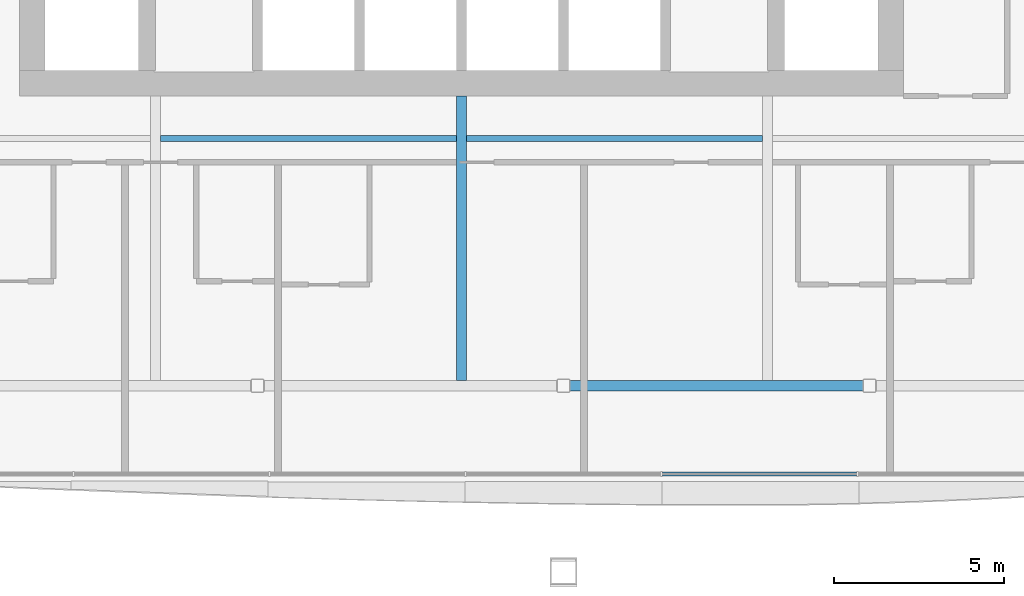
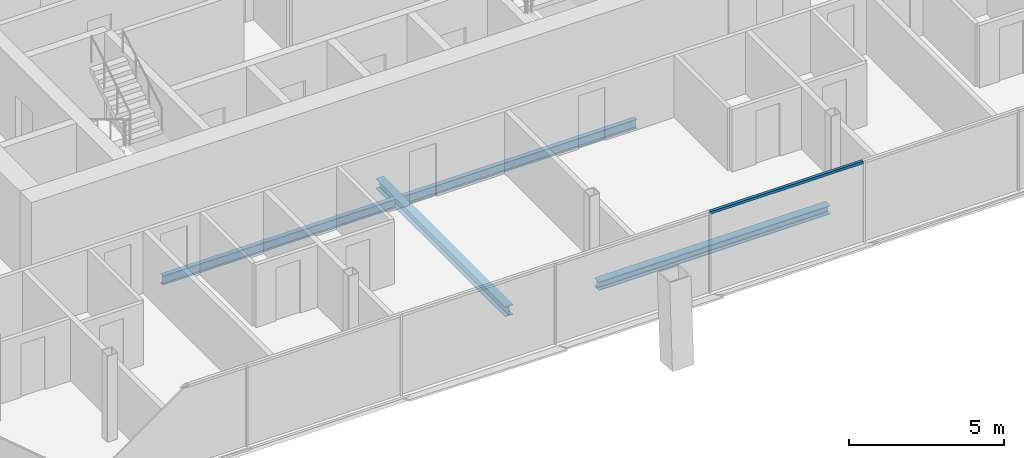
# One storey, part 5 of 22: 4 beams, 1 member, 1 element without a shape of its own.
"""IFC4 building model written with IfcOpenShell, lengths in metres."""

from ifc_helpers import new_model, si_unit, direction, frame, origin, origin_2d, place, context, subcontext, project, spatial, rectangle, i_section, extrude, material, material_profile, profile_set, type_object, element, aggregate, save


model = new_model("IFC4")

# Units and contexts
model_context = context("Model", 3, precision=1e-05, world=origin(), true_north=direction((0.0, 1.0)))
body_context = subcontext(model_context, "Body", "Model", "MODEL_VIEW")
ifc_project = project(units=[si_unit("LENGTHUNIT", "METRE"), si_unit("AREAUNIT", "SQUARE_METRE"), si_unit("VOLUMEUNIT", "CUBIC_METRE"), si_unit("PLANEANGLEUNIT", "RADIAN"), si_unit("MASSUNIT", "GRAM", prefix="KILO")], contexts=[model_context])

# Site, building, storey
site_placement = place(None, origin())
site = spatial("IfcSite", under=ifc_project, at=site_placement, CompositionType="ELEMENT")
building_placement = place(site_placement, origin())
building = spatial("IfcBuilding", under=site, at=building_placement, Name="Tskaro Facet Tower", CompositionType="ELEMENT")
storey_placement = place(building_placement, frame((0.0, 0.0, 124.89990234375)))
storey = spatial("IfcBuildingStorey", under=building, at=storey_placement, Name="L29", CompositionType="ELEMENT", Elevation=124.89990234375)

# Curtain wall, member
ifc_material_1 = material(Name="Bronze anodised aluminium 6063-T6", Category="aluminium")
curtain_wall_type = type_object("IfcCurtainWallType", Name="Bronze hotel curtain wall (FW2)", PredefinedType="NOTDEFINED", material=ifc_material_1)
curtain_wall_placement = place(storey_placement, origin())
curtain_wall = element("IfcCurtainWall", 1, at=curtain_wall_placement, inside=storey, type_object=curtain_wall_type, Name="FW2 south facet L29", PredefinedType="NOTDEFINED")
ifc_material_profile_1 = material_profile(ifc_material_1, rectangle(XDim=0.110107421875, YDim=0.10009765625, at=origin_2d()), Name="Transom 110x100")
ifc_profile_set_1 = profile_set([ifc_material_profile_1], Name="Bronze anodised aluminium 6063-T6")
member_type = type_object("IfcMemberType", Name="FW2 bronze transom 110x100", PredefinedType="USERDEFINED", material=ifc_profile_set_1)
member_placement = place(storey_placement, frame((5.910888671875, -23.366943359375, 3.150146484375), z_axis=(1.0, 0.0, 0.0), x_axis=(0.0, 1.0, 0.0)))
member = element("IfcMember", 2, at=member_placement, type_object=member_type, Name="FW2 south transom 5.1", ObjectType="TRANSOM", PredefinedType="USERDEFINED", context=body_context, shape_type="SweptSolid", body=[
    extrude(rectangle(XDim=0.110107421875, YDim=0.10009765625, at=origin_2d()), origin(), (0.0, 0.0, 1.0), 5.70166015625),
])
aggregate(curtain_wall, [member])

# Beams
ifc_material_2 = material(Name="Steel S355J2", Category="steel")
ifc_material_profile_2 = material_profile(ifc_material_2, i_section(OverallWidth=0.300048828125, OverallDepth=0.340087890625, WebThickness=0.011962890625, FlangeThickness=0.021484375, FilletRadius=0.027099609375, at=origin_2d()), Name="HE 340 B")
ifc_profile_set_2 = profile_set([ifc_material_profile_2], Name="Steel S355J2")
beam_type_1 = type_object("IfcBeamType", Name="HE 340 B ring beam", PredefinedType="BEAM", material=ifc_profile_set_2)
beam_1_placement = place(storey_placement, frame((3.179931640625, -20.77392578125, -0.309814453125), z_axis=(1.0, 0.0, 0.0), x_axis=(0.0, 1.0, 0.0)))
element("IfcBeam", 3, at=beam_1_placement, inside=storey, type_object=beam_type_1, Name="HE 340 B EB3-3", PredefinedType="BEAM", context=body_context, shape_type="SweptSolid", body=[
    extrude(i_section(OverallWidth=0.300048828125, OverallDepth=0.340087890625, WebThickness=0.011962890625, FlangeThickness=0.021484375, FilletRadius=0.027099609375, at=origin_2d()), origin(), (0.0, 0.0, 1.0), 8.64013671875),
])
ifc_material_profile_3 = material_profile(ifc_material_2, i_section(OverallWidth=0.300048828125, OverallDepth=0.389892578125, WebThickness=0.010986328125, FlangeThickness=0.01904296875, FilletRadius=0.027099609375, at=origin_2d()), Name="HE 400 A")
ifc_profile_set_3 = profile_set([ifc_material_profile_3], Name="Steel S355J2")
beam_type_2 = type_object("IfcBeamType", Name="HE 400 A girder", PredefinedType="BEAM", material=ifc_profile_set_3)
beam_2_placement = place(storey_placement, frame((0.0, -20.6240234375, -0.3349609375), z_axis=(0.0, 1.0, 0.0), x_axis=(-1.0, 0.0, 0.0)))
element("IfcBeam", 4, at=beam_2_placement, inside=storey, type_object=beam_type_2, Name="HE 400 A GB4-1-3", PredefinedType="BEAM", context=body_context, shape_type="SweptSolid", body=[
    extrude(i_section(OverallWidth=0.300048828125, OverallDepth=0.389892578125, WebThickness=0.010986328125, FlangeThickness=0.01904296875, FilletRadius=0.027099609375, at=origin_2d()), origin(), (0.0, 0.0, 1.0), 8.3740234375),
])
ifc_material_profile_4 = material_profile(ifc_material_2, i_section(OverallWidth=0.169921875, OverallDepth=0.360107421875, WebThickness=0.008056640625, FlangeThickness=0.0126953125, FilletRadius=0.01806640625, at=origin_2d()), Name="IPE 360")
ifc_profile_set_4 = profile_set([ifc_material_profile_4], Name="Steel S355J2")
beam_type_3 = type_object("IfcBeamType", Name="IPE 360 secondary beam", PredefinedType="BEAM", material=ifc_profile_set_4)
for number, where, z_axis, x_axis, name in (
    (5, (-8.85009765625, -13.5, -0.31982421875), (1.0, 0.0, 0.0), (0.0, 1.0, 0.0), "IPE 360 SB2a-2-3"),
    (6, (0.14990234375, -13.5, -0.31982421875), (1.0, 0.0, 0.0), (0.0, 1.0, 0.0), "IPE 360 SB2a-3-3"),
):
    element("IfcBeam", number, at=place(storey_placement, frame(where, z_axis=z_axis, x_axis=x_axis)), inside=storey, type_object=beam_type_3, Name=name, PredefinedType="BEAM", context=body_context, shape_type="SweptSolid", body=[
        extrude(i_section(OverallWidth=0.169921875, OverallDepth=0.360107421875, WebThickness=0.008056640625, FlangeThickness=0.0126953125, FilletRadius=0.01806640625, at=origin_2d()), origin(), (0.0, 0.0, 1.0), 8.7001953125),
    ])

save(model, "model.ifc")
